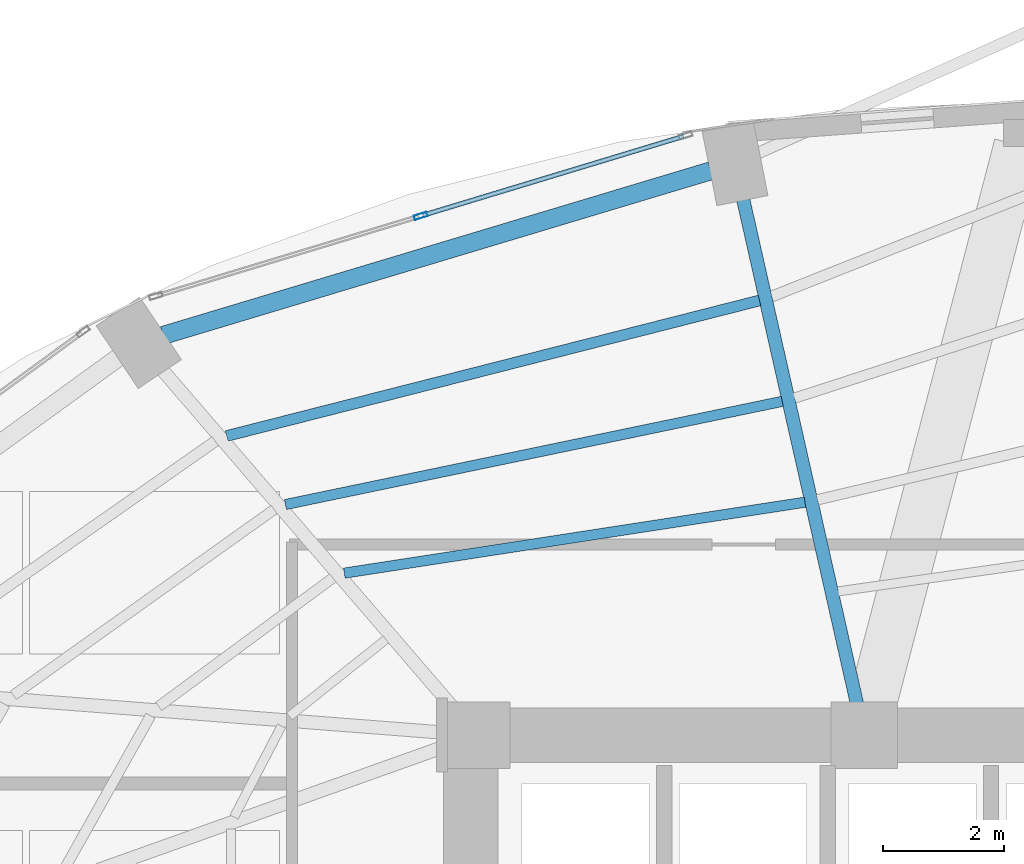
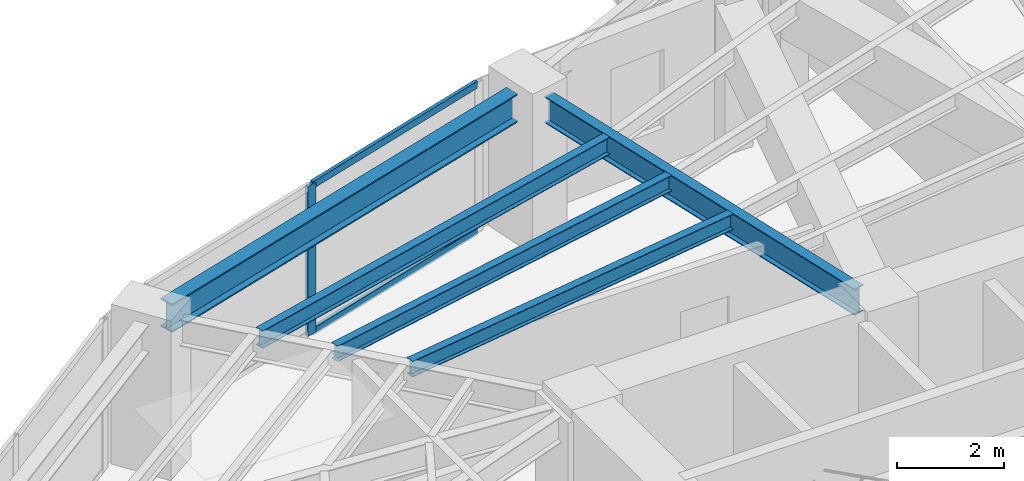
# One storey, part 14 of 24: 5 beams, 3 members, 1 element without a shape of its own.
"""IFC4 building model written with IfcOpenShell, lengths in metres."""

from ifc_helpers import new_model, si_unit, direction, frame, origin, origin_2d, place, context, subcontext, project, spatial, hollow_rectangle, i_section, extrude, material, layer, layer_set, material_profile, profile_set, type_object, element, aggregate, save


model = new_model("IFC4")

# Units and contexts
model_context = context("Model", 3, precision=1e-05, world=origin(), true_north=direction((0.0, 1.0)))
body_context = subcontext(model_context, "Body", "Model", "MODEL_VIEW")
ifc_project = project(units=[si_unit("LENGTHUNIT", "METRE"), si_unit("AREAUNIT", "SQUARE_METRE"), si_unit("VOLUMEUNIT", "CUBIC_METRE"), si_unit("PLANEANGLEUNIT", "RADIAN"), si_unit("MASSUNIT", "GRAM", prefix="KILO")], contexts=[model_context])

# Site, building, storey
site_placement = place(None, origin())
site = spatial("IfcSite", under=ifc_project, at=site_placement, CompositionType="ELEMENT")
building_placement = place(site_placement, origin())
building = spatial("IfcBuilding", under=site, at=building_placement, Name="Lazwardi Medical Tower", CompositionType="ELEMENT")
storey_placement = place(building_placement, frame((0.0, 0.0, 58.031982421875)))
storey = spatial("IfcBuildingStorey", under=building, at=storey_placement, Name="L14", CompositionType="ELEMENT", Elevation=58.031982421875)

# Beams
ifc_material_1 = material(Name="Steel S355", Category="steel")
ifc_material_profile_1 = material_profile(ifc_material_1, i_section(OverallWidth=0.300048828125, OverallDepth=0.64990234375, WebThickness=0.01611328125, FlangeThickness=0.031005859375, at=origin_2d()), Name="HEB 650")
ifc_profile_set_1 = profile_set([ifc_material_profile_1], Name="Steel S355")
beam_type_1 = type_object("IfcBeamType", Name="BM-RB-Z1", PredefinedType="BEAM", material=ifc_profile_set_1)
beam_1_placement = place(storey_placement, frame((30.26708984375, 44.923095703125, 3.10302734375), z_axis=(-0.957695289269, -0.287784177662, 0.0), x_axis=(0.287784177662, -0.957695289269, 0.0)))
element("IfcBeam", 1, at=beam_1_placement, inside=storey, type_object=beam_type_1, Name="Ring beam RB-02 B09 L14", PredefinedType="BEAM", context=body_context, shape_type="SweptSolid", body=[
    extrude(i_section(OverallWidth=0.300048828125, OverallDepth=0.64990234375, WebThickness=0.01611328125, FlangeThickness=0.031005859375, at=origin_2d()), origin(), (0.0, 0.0, 1.0), 9.445556640625),
])
ifc_material_profile_2 = material_profile(ifc_material_1, i_section(OverallWidth=0.219970703125, OverallDepth=0.60009765625, WebThickness=0.011962890625, FlangeThickness=0.01904296875, at=origin_2d()), Name="IPE 600")
ifc_profile_set_2 = profile_set([ifc_material_profile_2], Name="Steel S355")
beam_type_2 = type_object("IfcBeamType", Name="BM-RG-W1", PredefinedType="BEAM", material=ifc_profile_set_2)
beam_2_placement = place(storey_placement, frame((30.796875, 44.478271484375, 3.1279296875), z_axis=(0.22010079219, -0.975477135189, 0.0), x_axis=(0.975477135189, 0.22010079219, 0.0)))
element("IfcBeam", 2, at=beam_2_placement, inside=storey, type_object=beam_type_2, Name="Radial girder RG-02 R09 L14", PredefinedType="BEAM", context=body_context, shape_type="SweptSolid", body=[
    extrude(i_section(OverallWidth=0.219970703125, OverallDepth=0.60009765625, WebThickness=0.011962890625, FlangeThickness=0.01904296875, at=origin_2d()), origin(), (0.0, 0.0, 1.0), 8.56640625),
])
ifc_material_profile_3 = material_profile(ifc_material_1, i_section(OverallWidth=0.179931640625, OverallDepth=0.39990234375, WebThickness=0.008544921875, FlangeThickness=0.013427734375, at=origin_2d()), Name="IPE 400")
ifc_profile_set_3 = profile_set([ifc_material_profile_3], Name="Steel S355")
beam_type_3 = type_object("IfcBeamType", Name="BM-SJ-01", PredefinedType="JOIST", material=ifc_profile_set_3)
beam_3_placement = place(storey_placement, frame((31.072265625, 42.781005859375, 3.22802734375), z_axis=(-0.969151012048, -0.246467677081, 0.0), x_axis=(0.246467677081, -0.969151012048, 0.0)))
element("IfcBeam", 3, at=beam_3_placement, inside=storey, type_object=beam_type_3, Name="Secondary joist SJ-01 R1 B09 L14", PredefinedType="JOIST", context=body_context, shape_type="SweptSolid", body=[
    extrude(i_section(OverallWidth=0.179931640625, OverallDepth=0.39990234375, WebThickness=0.008544921875, FlangeThickness=0.013427734375, at=origin_2d()), origin(), (0.0, 0.0, 1.0), 9.08251953125),
])
ifc_material_profile_4 = material_profile(ifc_material_1, i_section(OverallWidth=0.169921875, OverallDepth=0.360107421875, WebThickness=0.008056640625, FlangeThickness=0.0126953125, at=origin_2d()), Name="IPE 360")
ifc_profile_set_4 = profile_set([ifc_material_profile_4], Name="Steel S355")
beam_type_4 = type_object("IfcBeamType", Name="BM-SJ-02", PredefinedType="JOIST", material=ifc_profile_set_4)
beam_4_placement = place(storey_placement, frame((31.4482421875, 41.114501953125, 3.248046875), z_axis=(-0.979107693723, -0.203342381445, 0.0), x_axis=(0.203342381445, -0.979107693723, 0.0)))
element("IfcBeam", 4, at=beam_4_placement, inside=storey, type_object=beam_type_4, Name="Secondary joist SJ-02 R2 B09 L14", PredefinedType="JOIST", context=body_context, shape_type="SweptSolid", body=[
    extrude(i_section(OverallWidth=0.169921875, OverallDepth=0.360107421875, WebThickness=0.008056640625, FlangeThickness=0.0126953125, at=origin_2d()), origin(), (0.0, 0.0, 1.0), 8.381591796875),
])
beam_5_placement = place(storey_placement, frame((31.824462890625, 39.448486328125, 3.248046875), z_axis=(-0.988362899594, -0.152114360618, 0.0), x_axis=(0.152114360618, -0.988362899594, 0.0)))
element("IfcBeam", 5, at=beam_5_placement, inside=storey, type_object=beam_type_4, Name="Secondary joist SJ-02 R3 B09 L14", PredefinedType="JOIST", context=body_context, shape_type="SweptSolid", body=[
    extrude(i_section(OverallWidth=0.169921875, OverallDepth=0.360107421875, WebThickness=0.008056640625, FlangeThickness=0.0126953125, at=origin_2d()), origin(), (0.0, 0.0, 1.0), 7.70068359375),
])

# Curtain wall, members
ifc_material_2 = material(Name="Anodised bronze aluminium and solar control glazing", Category="aluminium")
ifc_layer = layer(ifc_material_2, 0.199951171875)
ifc_layer_set = layer_set([ifc_layer], Name="Anodised bronze aluminium and solar control glazing")
curtain_wall_type = type_object("IfcCurtainWallType", Name="CW-SYS-02", PredefinedType="NOTDEFINED", material=ifc_layer_set)
curtain_wall_placement = place(storey_placement, origin())
curtain_wall = element("IfcCurtainWall", 6, at=curtain_wall_placement, inside=storey, type_object=curtain_wall_type, Name="L14 Unitised bronze curtain wall CW-02", PredefinedType="NOTDEFINED")
ifc_material_3 = material(Name="Anodised bronze aluminium", Category="aluminium")
ifc_material_profile_5 = material_profile(ifc_material_3, hollow_rectangle(XDim=0.074951171875, YDim=0.219970703125, WallThickness=0.00390625, at=origin_2d()), Name="ALU-MULLION 220x75x4")
ifc_profile_set_5 = profile_set([ifc_material_profile_5], Name="Anodised bronze aluminium")
member_type_1 = type_object("IfcMemberType", Name="CW-MUL-01", PredefinedType="MULLION", material=ifc_profile_set_5)
member_1_placement = place(storey_placement, frame((25.476806640625, 44.178466796875, 0.0), z_axis=(0.0, 0.0, 1.0), x_axis=(0.2898956909, -0.957058247129, 0.0)))
member_1 = element("IfcMember", 7, at=member_1_placement, type_object=member_type_1, Name="CW-02 mullion 2", PredefinedType="MULLION", context=body_context, shape_type="SweptSolid", body=[
    extrude(hollow_rectangle(XDim=0.074951171875, YDim=0.219970703125, WallThickness=0.00390625, at=origin_2d()), origin(), (0.0, 0.0, 1.0), 3.427978515625),
])
ifc_material_profile_6 = material_profile(ifc_material_3, hollow_rectangle(XDim=0.074951171875, YDim=0.159912109375, WallThickness=0.00390625, at=origin_2d()), Name="ALU-TRANSOM 160x75x4")
ifc_profile_set_6 = profile_set([ifc_material_profile_6], Name="Anodised bronze aluminium")
member_type_2 = type_object("IfcMemberType", Name="CW-TRN-01", PredefinedType="USERDEFINED", material=ifc_profile_set_6)
member_2_placement = place(storey_placement, frame((29.816162109375, 45.492919921875, 0.03759765625), z_axis=(-0.957047233423, -0.28993204893, 0.0), x_axis=(0.28993204893, -0.957047233423, 0.0)))
member_2 = element("IfcMember", 8, at=member_2_placement, type_object=member_type_2, Name="CW-02 transom 1.1", ObjectType="TRANSOM", PredefinedType="USERDEFINED", context=body_context, shape_type="SweptSolid", body=[
    extrude(hollow_rectangle(XDim=0.074951171875, YDim=0.159912109375, WallThickness=0.00390625, at=origin_2d()), origin(), (0.0, 0.0, 1.0), 4.49658203125),
])
member_3_placement = place(storey_placement, frame((29.816162109375, 45.492919921875, 3.390625), z_axis=(-0.957047233423, -0.28993204893, 0.0), x_axis=(0.28993204893, -0.957047233423, 0.0)))
member_3 = element("IfcMember", 9, at=member_3_placement, type_object=member_type_2, Name="CW-02 transom 1.2", ObjectType="TRANSOM", PredefinedType="USERDEFINED", context=body_context, shape_type="SweptSolid", body=[
    extrude(hollow_rectangle(XDim=0.074951171875, YDim=0.159912109375, WallThickness=0.00390625, at=origin_2d()), origin(), (0.0, 0.0, 1.0), 4.49658203125),
])
aggregate(curtain_wall, [member_1, member_2, member_3])

save(model, "model.ifc")
